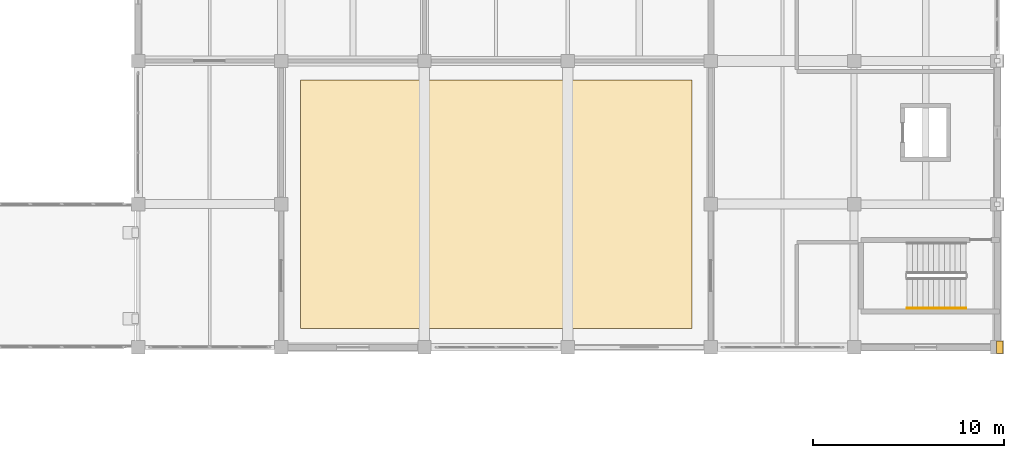
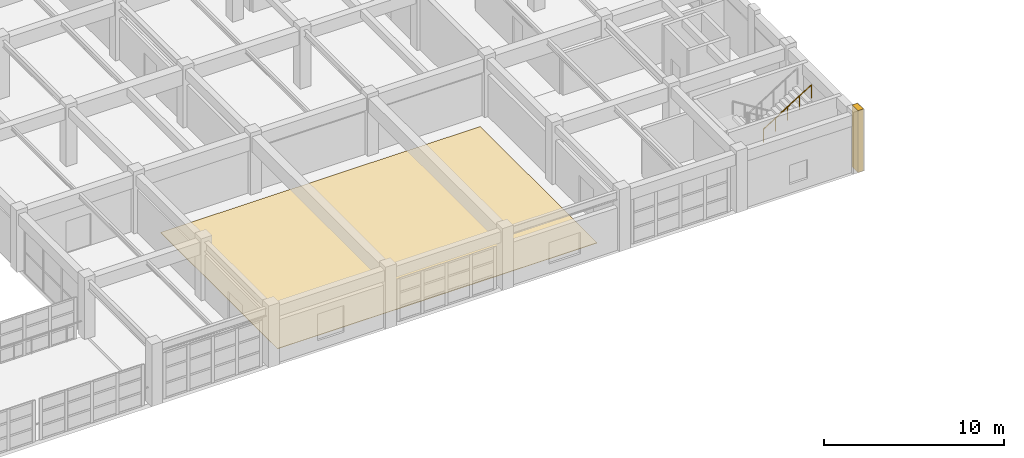
# One storey, part 131 of 132: 2 coverings, 1 railing.
"""IFC4 building model written with IfcOpenShell, lengths in metres."""

from ifc_helpers import new_model, si_unit, direction, frame, origin, origin_2d, place, context, subcontext, project, spatial, polyline, rectangle, circle, outline, extrude, material, layer, layer_set, type_object, element, save


model = new_model("IFC4")

# Units and contexts
model_context = context("Model", 3, precision=1e-05, world=origin(), true_north=direction((0.0, 1.0)))
body_context = subcontext(model_context, "Body", "Model", "MODEL_VIEW")
ifc_project = project(units=[si_unit("LENGTHUNIT", "METRE"), si_unit("AREAUNIT", "SQUARE_METRE"), si_unit("VOLUMEUNIT", "CUBIC_METRE"), si_unit("PLANEANGLEUNIT", "RADIAN"), si_unit("MASSUNIT", "GRAM", prefix="KILO")], contexts=[model_context])

# Site, building, storey
site_placement = place(None, origin())
site = spatial("IfcSite", under=ifc_project, at=site_placement, CompositionType="ELEMENT")
building_placement = place(site_placement, origin())
building = spatial("IfcBuilding", under=site, at=building_placement, Name="Qasida Concert Hall", CompositionType="ELEMENT")
storey_placement = place(building_placement, frame((0.0, 0.0, 4.800048828125)))
storey = spatial("IfcBuildingStorey", under=building, at=storey_placement, Name="L01", CompositionType="ELEMENT", Elevation=4.800048828125)

# Coverings
ifc_material_1 = material(Name="Quarter-sawn European oak stage and parterre flooring", Category="wood")
ifc_layer_1 = layer(ifc_material_1, 0.030029296875, Name="Quarter-sawn European oak stage and parterre flooring")
ifc_layer_set_1 = layer_set([ifc_layer_1], Name="Quarter-sawn European oak stage and parterre flooring")
covering_type_1 = type_object("IfcCoveringType", Name="CV-FL-1", PredefinedType="FLOORING", material=ifc_layer_set_1)
covering_1_placement = place(storey_placement, origin())
element("IfcCovering", 1, at=covering_1_placement, inside=storey, type_object=covering_type_1, Name="L01 acoustic timber flooring 05", PredefinedType="FLOORING", context=body_context, shape_type="SweptSolid", body=[
    extrude(outline(polyline([(128.5, 76.0), (149.0, 76.0), (149.0, 89.0), (128.5, 89.0), (128.5, 76.0)])), origin(), (0.0, 0.0, 1.0), 0.030029296875),
])
ifc_material_2 = material(Name="Projecting fluted Lebanese limestone Art Deco pilaster", Category="masonry")
ifc_layer_2 = layer(ifc_material_2, 0.35009765625, Name="Projecting fluted Lebanese limestone Art Deco pilaster")
ifc_layer_set_2 = layer_set([ifc_layer_2], Name="Projecting fluted Lebanese limestone Art Deco pilaster")
covering_type_2 = type_object("IfcCoveringType", Name="CV-PIL-650", PredefinedType="CLADDING", material=ifc_layer_set_2)
covering_2_placement = place(storey_placement, frame((165.135009765625, 75.0, 0.0), z_axis=(0.0, 0.0, 1.0), x_axis=(1.0, 0.0, 0.0)))
element("IfcCovering", 2, at=covering_2_placement, inside=storey, type_object=covering_type_2, Name="L01 fluted limestone pilaster 0236", PredefinedType="CLADDING", context=body_context, shape_type="SweptSolid", body=[
    extrude(rectangle(XDim=0.35009765625, YDim=0.64990234375, at=origin_2d()), origin(), (0.0, 0.0, 1.0), 4.199951171875),
])

# Railing
ifc_material_3 = material(Name="Patinated tubular architectural bronze", Category="steel")
ifc_layer_3 = layer(ifc_material_3, 0.050048828125, Name="Patinated tubular architectural bronze")
ifc_layer_set_3 = layer_set([ifc_layer_3], Name="Patinated tubular architectural bronze")
railing_type = type_object("IfcRailingType", Name="RL-HND-900", PredefinedType="HANDRAIL", material=ifc_layer_set_3)
railing_placement = place(storey_placement, frame((160.27001953125, 77.050048828125, 2.27490234375)))
element("IfcRailing", 3, at=railing_placement, inside=storey, type_object=railing_type, Name="L01 ST-07 stair handrail 2", PredefinedType="HANDRAIL", context=body_context, shape_type="SweptSolid", body=[
    extrude(circle(Radius=0.02392578125, at=origin_2d()), frame((0.0, 0.0, 0.8759765625), z_axis=(0.847998304005, 0.0, 0.529998940003), x_axis=(0.0, 1.0, 0.0)), (0.0, 0.0, 1.0), 3.632080078125),
    extrude(circle(Radius=0.02099609375, at=origin_2d()), origin(), (0.0, 0.0, 1.0), 0.851806640625),
    extrude(circle(Radius=0.02099609375, at=origin_2d()), frame((0.77001953125, 0.0, 0.481201171875)), (0.0, 0.0, 1.0), 0.851806640625),
    extrude(circle(Radius=0.02099609375, at=origin_2d()), frame((1.5400390625, 0.0, 0.96240234375)), (0.0, 0.0, 1.0), 0.851806640625),
    extrude(circle(Radius=0.02099609375, at=origin_2d()), frame((2.31005859375, 0.0, 1.44384765625)), (0.0, 0.0, 1.0), 0.851806640625),
    extrude(circle(Radius=0.02099609375, at=origin_2d()), frame((3.080078125, 0.0, 1.925048828125)), (0.0, 0.0, 1.0), 0.851806640625),
])

save(model, "model.ifc")
